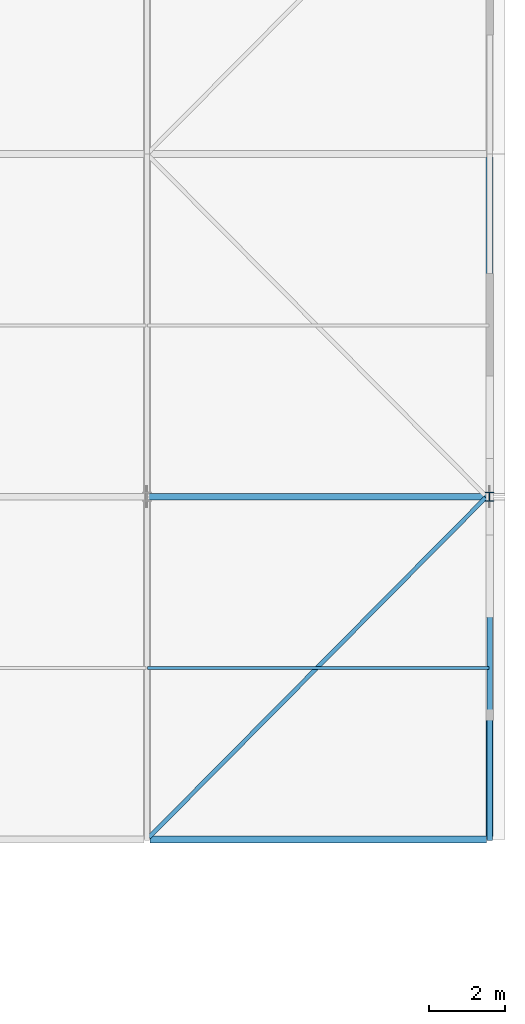
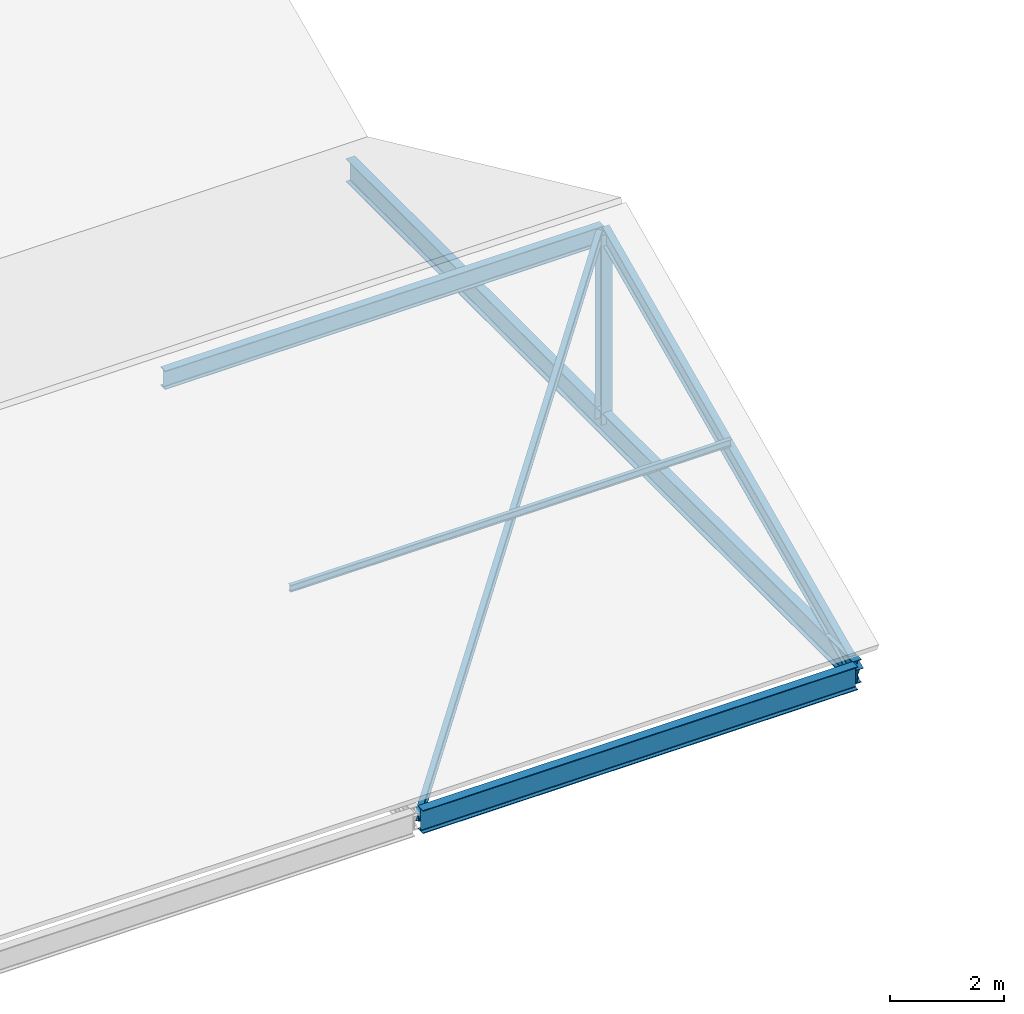
# One storey, part 86 of 163: 5 members, 2 beams.
"""IFC4 building model written with IfcOpenShell, lengths in metres."""

from ifc_helpers import new_model, si_unit, direction, frame, origin, origin_2d, place, context, subcontext, project, spatial, i_section, extrude, material, material_profile, profile_set, type_object, element, save


model = new_model("IFC4")

# Units and contexts
model_context = context("Model", 3, precision=1e-05, world=origin(), true_north=direction((0.0, 1.0)))
body_context = subcontext(model_context, "Body", "Model", "MODEL_VIEW")
ifc_project = project(units=[si_unit("LENGTHUNIT", "METRE"), si_unit("AREAUNIT", "SQUARE_METRE"), si_unit("VOLUMEUNIT", "CUBIC_METRE"), si_unit("PLANEANGLEUNIT", "RADIAN"), si_unit("MASSUNIT", "GRAM", prefix="KILO")], contexts=[model_context])

# Site, building, storey
site_placement = place(None, origin())
site = spatial("IfcSite", under=ifc_project, at=site_placement, CompositionType="ELEMENT")
building_placement = place(site_placement, origin())
building = spatial("IfcBuilding", under=site, at=building_placement, Name="Tharagai Park Tramway Depot", CompositionType="ELEMENT")
storey_placement = place(building_placement, frame((0.0, 0.0, 8.39990234375)))
storey = spatial("IfcBuildingStorey", under=building, at=storey_placement, Name="L02", CompositionType="ELEMENT", Elevation=8.39990234375)

# Beams
ifc_material_1 = material(Name="Steel E350", Category="steel")
ifc_material_profile_1 = material_profile(ifc_material_1, i_section(OverallWidth=0.179931640625, OverallDepth=0.5, WebThickness=0.01025390625, FlangeThickness=0.01708984375, FilletRadius=0.01708984375, at=origin_2d()), Name="ISMB 500")
ifc_profile_set_1 = profile_set([ifc_material_profile_1], Name="Steel E350")
beam_type = type_object("IfcBeamType", Name="BM-18", PredefinedType="BEAM", material=ifc_profile_set_1)
beam_1_placement = place(storey_placement, frame((207.080078125, 99.0, -0.5), z_axis=(1.0, 0.0, 0.0), x_axis=(0.0, 1.0, 0.0)))
element("IfcBeam", 1, at=beam_1_placement, inside=storey, type_object=beam_type, Name="V3B1 Roof Eave Girder BM-18", PredefinedType="BEAM", context=body_context, shape_type="SweptSolid", body=[
    extrude(i_section(OverallWidth=0.179931640625, OverallDepth=0.5, WebThickness=0.01025390625, FlangeThickness=0.01708984375, FilletRadius=0.01708984375, at=origin_2d()), origin(), (0.0, 0.0, 1.0), 8.83984375),
])
beam_2_placement = place(storey_placement, frame((216.0, 99.080078125, -0.5), z_axis=(0.0, 1.0, 0.0), x_axis=(-1.0, 0.0, 0.0)))
element("IfcBeam", 2, at=beam_2_placement, inside=storey, type_object=beam_type, Name="V3B1 Gable Tie Girder BM-18", PredefinedType="BEAM", context=body_context, shape_type="SweptSolid", body=[
    extrude(i_section(OverallWidth=0.179931640625, OverallDepth=0.5, WebThickness=0.01025390625, FlangeThickness=0.01708984375, FilletRadius=0.01708984375, at=origin_2d()), origin(), (0.0, 0.0, 1.0), 17.83984375),
])

# Members
ifc_material_profile_2 = material_profile(ifc_material_1, i_section(OverallWidth=0.22509765625, OverallDepth=0.22509765625, WebThickness=0.008544921875, FlangeThickness=0.009033203125, FilletRadius=0.010009765625, at=origin_2d()), Name="ISHB 225")
ifc_profile_set_2 = profile_set([ifc_material_profile_2], Name="Steel E350")
member_type_1 = type_object("IfcMemberType", Name="BR-02", PredefinedType="BRACE", material=ifc_profile_set_2)
member_1_placement = place(storey_placement, frame((216.0, 108.0, -0.5), z_axis=(0.0, 0.0, 1.0), x_axis=(1.0, 0.0, 0.0)))
element("IfcMember", 3, at=member_1_placement, inside=storey, type_object=member_type_1, Name="V3B1 Gable King Strut BR-02", PredefinedType="BRACE", context=body_context, shape_type="SweptSolid", body=[
    extrude(i_section(OverallWidth=0.22509765625, OverallDepth=0.22509765625, WebThickness=0.008544921875, FlangeThickness=0.009033203125, FilletRadius=0.010009765625, at=origin_2d()), origin(), (0.0, 0.0, 1.0), 4.06982421875),
])
ifc_material_profile_3 = material_profile(ifc_material_1, i_section(OverallWidth=0.110107421875, OverallDepth=0.22509765625, WebThickness=0.006591796875, FlangeThickness=0.01171875, FilletRadius=0.011962890625, at=origin_2d()), Name="ISMB 225")
ifc_profile_set_3 = profile_set([ifc_material_profile_3], Name="Steel E350")
member_type_2 = type_object("IfcMemberType", Name="BR-04", PredefinedType="BRACE", material=ifc_profile_set_3)
member_2_placement = place(storey_placement, frame((207.080078125, 99.080078125, -0.5), z_axis=(0.670013535157, 0.676083034703, 0.306583745318), x_axis=(-0.710287879152, 0.703911307432, 0.0)))
element("IfcMember", 4, at=member_2_placement, inside=storey, type_object=member_type_2, Name="V3B1 Roof Wind Brace BR-04", PredefinedType="BRACE", context=body_context, shape_type="SweptSolid", body=[
    extrude(i_section(OverallWidth=0.110107421875, OverallDepth=0.22509765625, WebThickness=0.006591796875, FlangeThickness=0.01171875, FilletRadius=0.011962890625, at=origin_2d()), origin(), (0.0, 0.0, 1.0), 13.193603515625),
])
ifc_material_2 = material(Name="Steel E250", Category="steel")
ifc_material_profile_4 = material_profile(ifc_material_2, i_section(OverallWidth=0.080078125, OverallDepth=0.14990234375, WebThickness=0.0048828125, FlangeThickness=0.007568359375, FilletRadius=0.009033203125, at=origin_2d()), Name="ISMB 150")
ifc_profile_set_4 = profile_set([ifc_material_profile_4], Name="Steel E250")
member_type_3 = type_object("IfcMemberType", Name="PR-05", PredefinedType="PURLIN", material=ifc_profile_set_4)
member_3_placement = place(storey_placement, frame((207.02001953125, 103.5, 1.77392578125), z_axis=(1.0, 0.0, 0.0), x_axis=(0.0, 1.0, 0.0)))
element("IfcMember", 5, at=member_3_placement, inside=storey, type_object=member_type_3, Name="V3B1 Roof Purlin PR-05", PredefinedType="PURLIN", context=body_context, shape_type="SweptSolid", body=[
    extrude(i_section(OverallWidth=0.080078125, OverallDepth=0.14990234375, WebThickness=0.0048828125, FlangeThickness=0.007568359375, FilletRadius=0.009033203125, at=origin_2d()), origin(), (0.0, 0.0, 1.0), 8.9599609375),
])
ifc_material_profile_5 = material_profile(ifc_material_1, i_section(OverallWidth=0.139892578125, OverallDepth=0.35009765625, WebThickness=0.008056640625, FlangeThickness=0.01416015625, FilletRadius=0.013916015625, at=origin_2d()), Name="ISMB 350")
ifc_profile_set_5 = profile_set([ifc_material_profile_5], Name="Steel E350")
member_type_4 = type_object("IfcMemberType", Name="RF-01", PredefinedType="RAFTER", material=ifc_profile_set_5)
member_4_placement = place(storey_placement, frame((216.0, 99.050048828125, -0.53173828125), z_axis=(0.0, 0.909083998875, 0.416612869448), x_axis=(-1.0, 0.0, 0.0)))
element("IfcMember", 6, at=member_4_placement, inside=storey, type_object=member_type_4, Name="V3B1 Pitched Rafter RF-01 South", PredefinedType="RAFTER", context=body_context, shape_type="SweptSolid", body=[
    extrude(i_section(OverallWidth=0.139892578125, OverallDepth=0.35009765625, WebThickness=0.008056640625, FlangeThickness=0.01416015625, FilletRadius=0.013916015625, at=origin_2d()), origin(), (0.0, 0.0, 1.0), 9.844970703125),
])
ifc_material_profile_6 = material_profile(ifc_material_1, i_section(OverallWidth=0.1650390625, OverallDepth=0.39990234375, WebThickness=0.008056640625, FlangeThickness=0.012451171875, FilletRadius=0.013916015625, at=origin_2d()), Name="ISLB 400")
ifc_profile_set_6 = profile_set([ifc_material_profile_6], Name="Steel E350")
member_type_5 = type_object("IfcMemberType", Name="TC-04", PredefinedType="CHORD", material=ifc_profile_set_6)
member_5_placement = place(storey_placement, frame((207.0400390625, 108.0, 3.544921875), z_axis=(1.0, 0.0, 0.0), x_axis=(0.0, 1.0, 0.0)))
element("IfcMember", 7, at=member_5_placement, inside=storey, type_object=member_type_5, Name="V3B1 Roof Ridge Chord TC-04", PredefinedType="CHORD", context=body_context, shape_type="SweptSolid", body=[
    extrude(i_section(OverallWidth=0.1650390625, OverallDepth=0.39990234375, WebThickness=0.008056640625, FlangeThickness=0.012451171875, FilletRadius=0.013916015625, at=origin_2d()), origin(), (0.0, 0.0, 1.0), 8.919921875),
])

save(model, "model.ifc")
